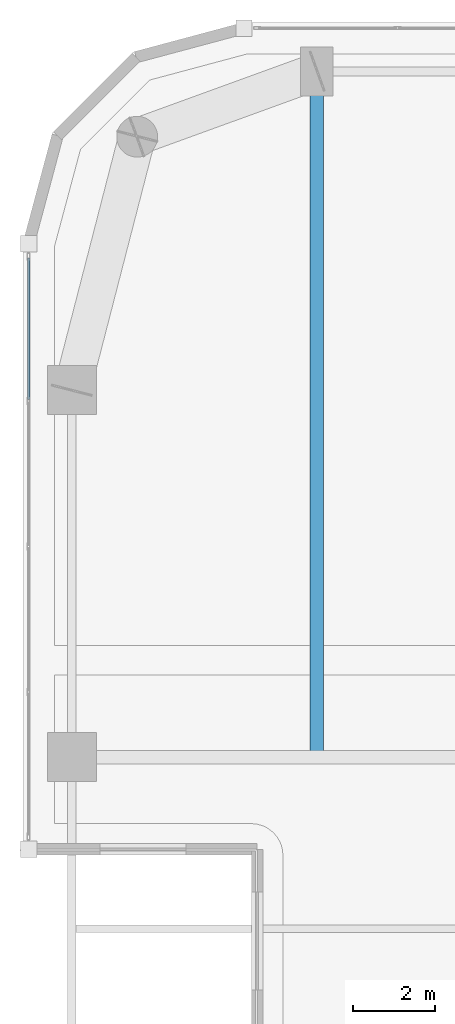
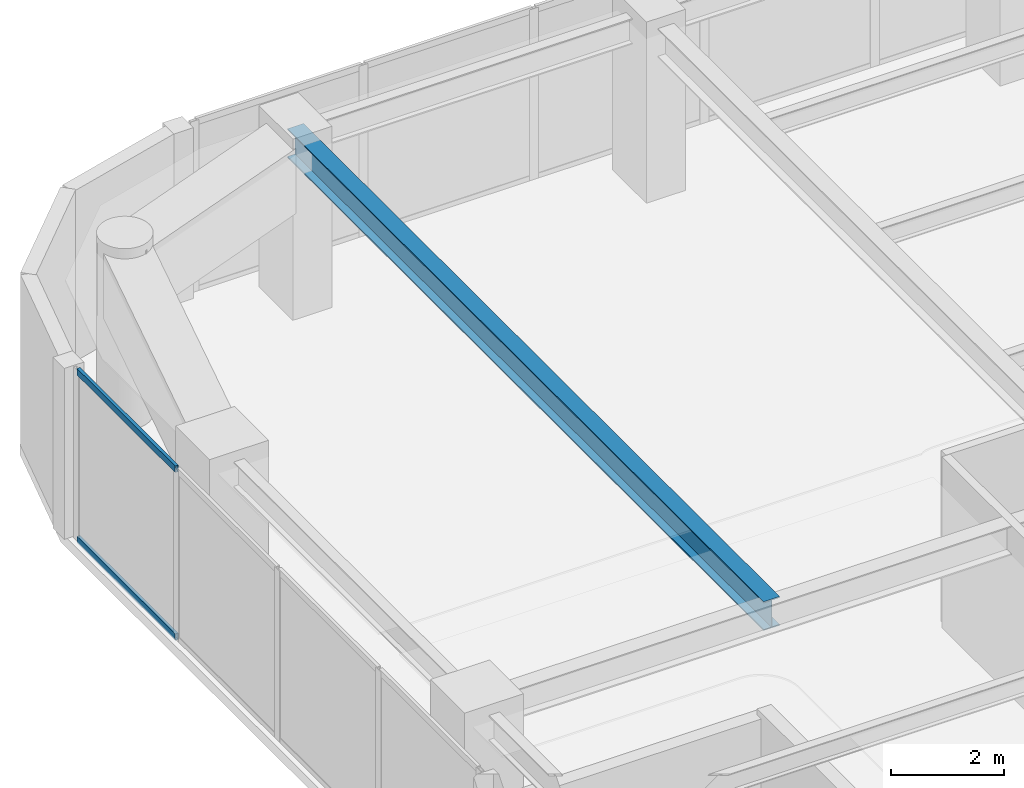
# One storey, part 10 of 26: 2 members, 1 beam, 1 element without a shape of its own.
"""IFC4 building model written with IfcOpenShell, lengths in metres."""

from ifc_helpers import new_model, si_unit, direction, frame, origin, origin_2d, place, context, subcontext, project, spatial, hollow_rectangle, i_section, extrude, material, layer, layer_set, material_profile, profile_set, type_object, element, aggregate, save


model = new_model("IFC4")

# Units and contexts
model_context = context("Model", 3, precision=1e-05, world=origin(), true_north=direction((0.0, 1.0)))
body_context = subcontext(model_context, "Body", "Model", "MODEL_VIEW")
ifc_project = project(units=[si_unit("LENGTHUNIT", "METRE"), si_unit("AREAUNIT", "SQUARE_METRE"), si_unit("VOLUMEUNIT", "CUBIC_METRE"), si_unit("PLANEANGLEUNIT", "RADIAN"), si_unit("MASSUNIT", "GRAM", prefix="KILO")], contexts=[model_context])

# Site, building, storey
site_placement = place(None, origin())
site = spatial("IfcSite", under=ifc_project, at=site_placement, CompositionType="ELEMENT")
building_placement = place(site_placement, origin())
building = spatial("IfcBuilding", under=site, at=building_placement, Name="Kiyonajd Concourse Tower", CompositionType="ELEMENT")
storey_placement = place(building_placement, frame((0.0, 0.0, 186.300048828125)))
storey = spatial("IfcBuildingStorey", under=building, at=storey_placement, Name="L47", CompositionType="ELEMENT", Elevation=186.300048828125)

# Beam
ifc_material_1 = material(Name="Steel ASTM A992 Grade 50", Category="steel")
ifc_material_profile_1 = material_profile(ifc_material_1, i_section(OverallWidth=0.326904296875, OverallDepth=0.6220703125, WebThickness=0.015380859375, FlangeThickness=0.0244140625, at=origin_2d()), Name="W610X195")
ifc_profile_set_1 = profile_set([ifc_material_profile_1], Name="Steel ASTM A992 Grade 50")
beam_type = type_object("IfcBeamType", Name="BM-TWR-610A", PredefinedType="BEAM", material=ifc_profile_set_1)
beam_placement = place(storey_placement, frame((25.199951171875, 44.39990234375, 3.368896484375), z_axis=(0.0, 1.0, 0.0), x_axis=(-1.0, 0.0, 0.0)))
element("IfcBeam", 1, at=beam_placement, inside=storey, type_object=beam_type, Name="L47 North Lease Girder", PredefinedType="BEAM", context=body_context, shape_type="SweptSolid", body=[
    extrude(i_section(OverallWidth=0.326904296875, OverallDepth=0.6220703125, WebThickness=0.015380859375, FlangeThickness=0.0244140625, at=origin_2d()), origin(), (0.0, 0.0, 1.0), 16.800048828125),
])

# Curtain wall, members
ifc_material_2 = material(Name="Thermally Broken Anodised Aluminium", Category="aluminium")
ifc_layer = layer(ifc_material_2, 0.179931640625)
ifc_layer_set = layer_set([ifc_layer], Name="Thermally Broken Anodised Aluminium")
curtain_wall_type = type_object("IfcCurtainWallType", Name="CW-SYS-03", PredefinedType="NOTDEFINED", material=ifc_layer_set)
curtain_wall_placement = place(storey_placement, origin())
curtain_wall = element("IfcCurtainWall", 2, at=curtain_wall_placement, inside=storey, type_object=curtain_wall_type, Name="L47 Unitised Curtain Wall CW3", PredefinedType="NOTDEFINED")
ifc_material_profile_2 = material_profile(ifc_material_2, hollow_rectangle(XDim=0.06494140625, YDim=0.139892578125, WallThickness=0.00390625, at=origin_2d()), Name="TRAN-65x140")
ifc_profile_set_2 = profile_set([ifc_material_profile_2], Name="Thermally Broken Anodised Aluminium")
member_type = type_object("IfcMemberType", Name="MB-CW-TRAN1", PredefinedType="USERDEFINED", material=ifc_profile_set_2)
member_1_placement = place(storey_placement, frame((18.139892578125, 53.15869140625, 0.032470703125), z_axis=(0.0, 1.0, 0.0), x_axis=(-1.0, 0.0, 0.0)))
member_1 = element("IfcMember", 3, at=member_1_placement, type_object=member_type, Name="CW3 transom 4.1", ObjectType="TRANSOM", PredefinedType="USERDEFINED", context=body_context, shape_type="SweptSolid", body=[
    extrude(hollow_rectangle(XDim=0.06494140625, YDim=0.139892578125, WallThickness=0.00390625, at=origin_2d()), origin(), (0.0, 0.0, 1.0), 3.468017578125),
])
member_2_placement = place(storey_placement, frame((18.139892578125, 53.15869140625, 3.6474609375), z_axis=(0.0, 1.0, 0.0), x_axis=(-1.0, 0.0, 0.0)))
member_2 = element("IfcMember", 4, at=member_2_placement, type_object=member_type, Name="CW3 transom 4.2", ObjectType="TRANSOM", PredefinedType="USERDEFINED", context=body_context, shape_type="SweptSolid", body=[
    extrude(hollow_rectangle(XDim=0.06494140625, YDim=0.139892578125, WallThickness=0.00390625, at=origin_2d()), origin(), (0.0, 0.0, 1.0), 3.468017578125),
])
aggregate(curtain_wall, [member_1, member_2])

save(model, "model.ifc")
